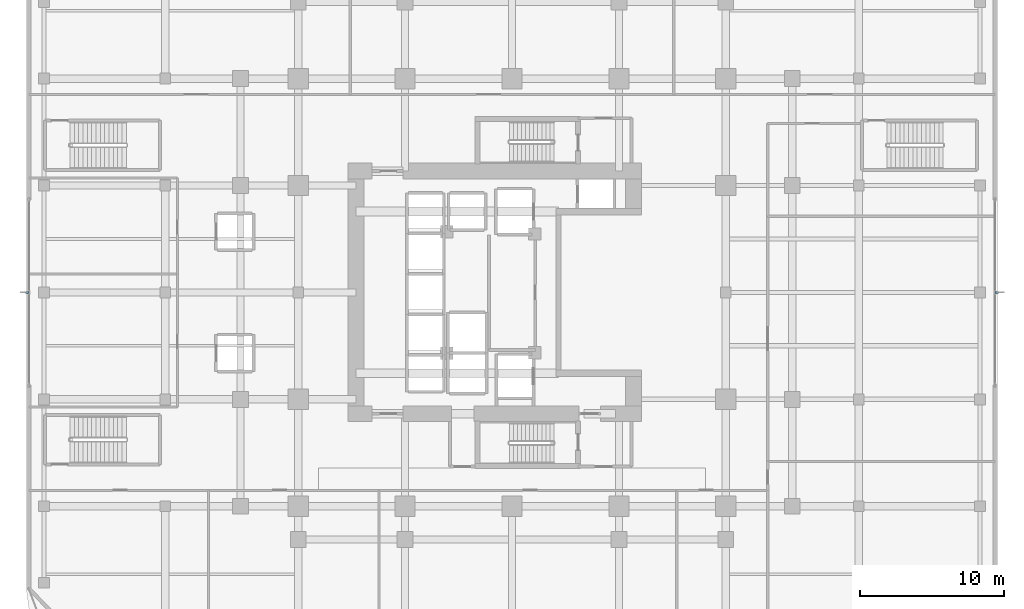
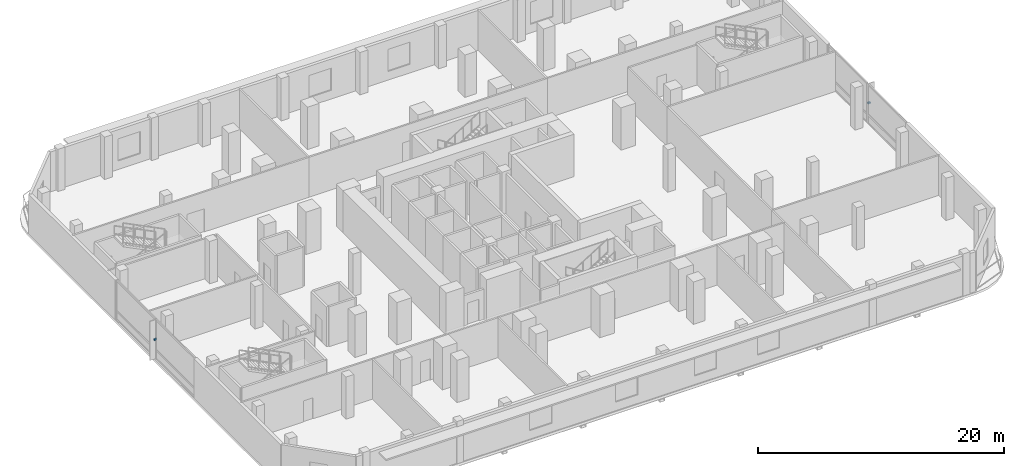
# One storey, part 12 of 19: 2 discrete accessories.
"""IFC4 building model written with IfcOpenShell, lengths in metres."""

from ifc_helpers import new_model, si_unit, direction, frame, origin, origin_2d, place, context, subcontext, project, spatial, rectangle, extrude, material, type_object, element, save


model = new_model("IFC4")

# Units and contexts
model_context = context("Model", 3, precision=1e-05, world=origin(), true_north=direction((0.0, 1.0)))
body_context = subcontext(model_context, "Body", "Model", "MODEL_VIEW")
ifc_project = project(units=[si_unit("LENGTHUNIT", "METRE"), si_unit("AREAUNIT", "SQUARE_METRE"), si_unit("VOLUMEUNIT", "CUBIC_METRE"), si_unit("PLANEANGLEUNIT", "RADIAN"), si_unit("MASSUNIT", "GRAM", prefix="KILO")], contexts=[model_context])

# Site, building, storey
site_placement = place(None, origin())
site = spatial("IfcSite", under=ifc_project, at=site_placement, CompositionType="ELEMENT")
building_placement = place(site_placement, origin())
building = spatial("IfcBuilding", under=site, at=building_placement, Name="Khorvyn Point Tower", CompositionType="ELEMENT")
storey_placement = place(building_placement, frame((0.0, 0.0, 13.199951171875)))
storey = spatial("IfcBuildingStorey", under=building, at=storey_placement, Name="L04", CompositionType="ELEMENT", Elevation=13.199951171875)

# Discrete accessories
ifc_material = material(Name="Stainless steel 1.4401", Category="steel")
discrete_accessory_type = type_object("IfcDiscreteAccessoryType", Name="Stainless Steel 316 Facade Fin Fixing Bracket", PredefinedType="BRACKET", material=ifc_material)
for number, where, z_axis, x_axis, name in (
    (1, (-33.550048828125, 0.0, 1.89990234375), (0.0, 0.0, 1.0), (0.0, 1.0, 0.0), "L04 Solar Fin Fixing Bracket 01"),
    (2, (33.550048828125, 0.0, 1.89990234375), (0.0, 0.0, 1.0), (0.0, 1.0, 0.0), "L04 Solar Fin Fixing Bracket 01"),
):
    element("IfcDiscreteAccessory", number, at=place(storey_placement, frame(where, z_axis=z_axis, x_axis=x_axis)), inside=storey, type_object=discrete_accessory_type, Name=name, PredefinedType="BRACKET", context=body_context, shape_type="SweptSolid", body=[
        extrude(rectangle(XDim=0.159912109375, YDim=0.260009765625, at=origin_2d()), origin(), (0.0, 0.0, 1.0), 0.159912109375),
    ])

save(model, "model.ifc")
